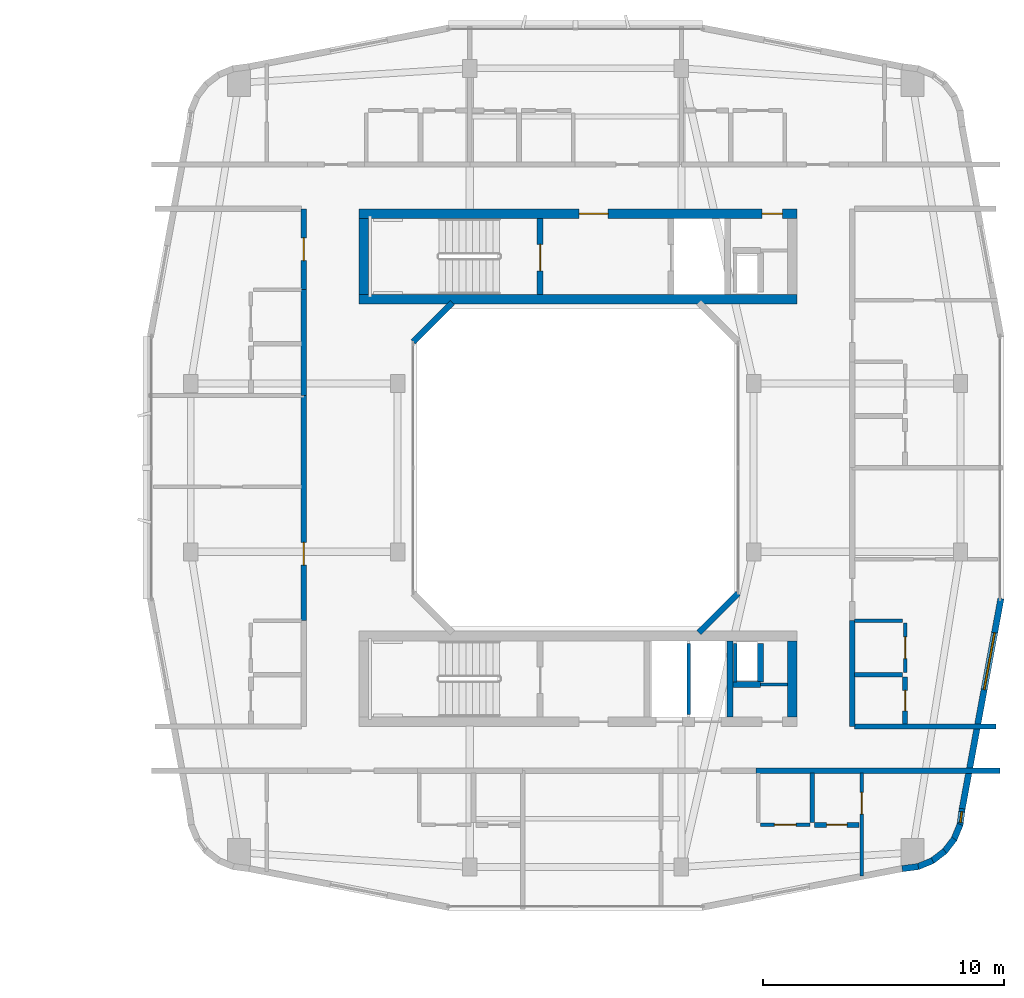
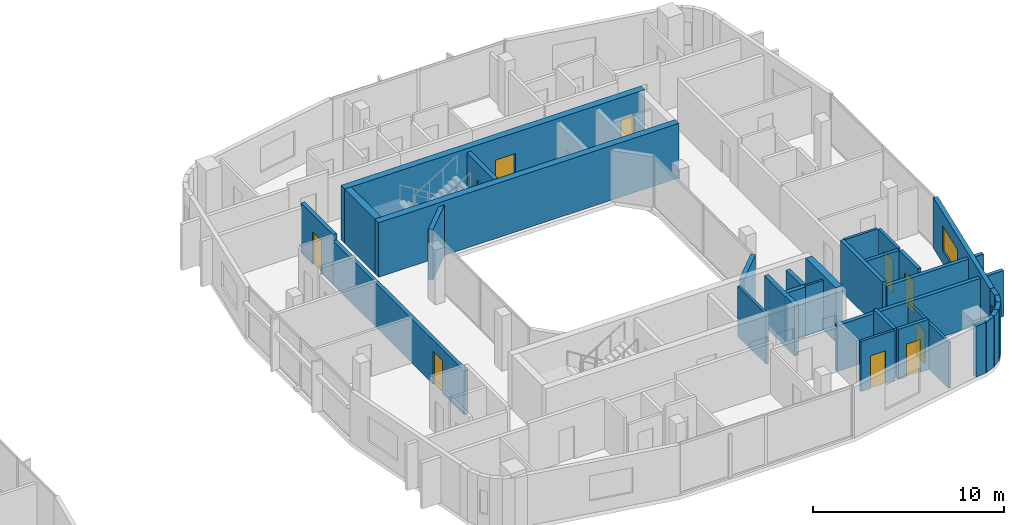
# One storey, part 18 of 26: 34 walls, 10 doors, 2 windows, 12 openings.
"""IFC4 building model written with IfcOpenShell, lengths in metres."""

from ifc_helpers import new_model, si_unit, derived_unit, direction, frame, frame_2d, origin, place, context, subcontext, project, spatial, rectangle, extrude, material, layer, layer_set, type_object, element, fill, save


model = new_model("IFC4")

# Units and contexts
model_context = context("Model", 3, precision=1e-05, world=origin(), true_north=direction((0.0, 1.0)))
body_context = subcontext(model_context, "Body", "Model", "MODEL_VIEW")
ifc_project = project(units=[si_unit("LENGTHUNIT", "METRE"), si_unit("AREAUNIT", "SQUARE_METRE"), si_unit("VOLUMEUNIT", "CUBIC_METRE"), si_unit("PLANEANGLEUNIT", "RADIAN"), si_unit("MASSUNIT", "GRAM", prefix="KILO"), derived_unit("THERMALTRANSMITTANCEUNIT", [(si_unit("POWERUNIT", "WATT"), 1), (si_unit("LENGTHUNIT", "METRE"), -2), (si_unit("THERMODYNAMICTEMPERATUREUNIT", "KELVIN"), -1)])], contexts=[model_context])

# Site, building, storey
site_placement = place(None, origin())
site = spatial("IfcSite", under=ifc_project, at=site_placement, CompositionType="ELEMENT")
building_placement = place(site_placement, origin())
building = spatial("IfcBuilding", under=site, at=building_placement, Name="Kivonza Crest Hotel", CompositionType="ELEMENT")
storey_placement = place(building_placement, frame((0.0, 0.0, 105.5)))
storey = spatial("IfcBuildingStorey", under=building, at=storey_placement, Name="L28", CompositionType="ELEMENT", Elevation=105.5)

# Wall
ifc_material_1 = material(Name="Autoclaved aerated concrete blockwork", Category="masonry")
ifc_layer_1 = layer(ifc_material_1, 0.219970703125)
ifc_layer_set_1 = layer_set([ifc_layer_1], Name="Autoclaved aerated concrete blockwork")
wall_type_1 = type_object("IfcWallType", Name="WL-ACOU-220", PredefinedType="SOLIDWALL", material=ifc_layer_set_1)
wall_1_placement = place(storey_placement, frame((84.510009765625, 12.39990234375, 0.0), z_axis=(0.0, 0.0, 1.0), x_axis=(1.0, 0.0, 0.0)))
element("IfcWall", 1, at=wall_1_placement, inside=storey, type_object=wall_type_1, Name="L28 interior partition WA-L28-A05-RCORR", PredefinedType="SOLIDWALL", context=body_context, shape_type="SweptSolid", body=[
    extrude(rectangle(XDim=10.1298828125, YDim=0.219970703125, at=frame_2d((5.06494140625, 0.0))), origin(), (0.0, 0.0, 1.0), 2.945068359375),
])

# Wall, opening, door
wall_2_placement = place(storey_placement, frame((65.699951171875, 18.639892578125, 0.0), z_axis=(0.0, 0.0, 1.0), x_axis=(0.0, 1.0, 0.0)))
wall_2 = element("IfcWall", 2, at=wall_2_placement, inside=storey, type_object=wall_type_1, Name="L28 interior partition WA-L28-A06-MCORR", PredefinedType="SOLIDWALL", context=body_context, shape_type="SweptSolid", body=[
    extrude(rectangle(XDim=9.360107421875, YDim=0.219970703125, at=frame_2d((4.68017578125, 0.0))), origin(), (0.0, 0.0, 1.0), 2.824951171875),
])
opening_1_placement = place(wall_2_placement, frame((2.304931640625, 0.0, 0.0)))
opening_1 = element("IfcOpeningElement", 3, at=opening_1_placement, cuts=wall_2, Name="Opening DU-60", PredefinedType="OPENING", context=body_context, shape_type="SweptSolid", body=[
    extrude(rectangle(XDim=0.949951171875, YDim=2.10009765625, at=frame_2d((0.47509765625, 1.050048828125))), frame((0.0, 0.1201171875, 0.0), z_axis=(0.0, -1.0, 0.0), x_axis=(1.0, 0.0, 0.0)), (0.0, 0.0, 1.0), 0.239990234375),
])
ifc_material_2 = material(Name="Hardwood timber oak", Category="wood")
door_type_1 = type_object("IfcDoorType", Name="DR-UNIT-950", OperationType="NOTDEFINED", PredefinedType="DOOR", material=ifc_material_2)
door_1_placement = place(opening_1_placement, origin())
door_1 = element("IfcDoor", 4, at=door_1_placement, inside=storey, type_object=door_type_1, Name="L28 A06 apartment entrance fire door", OperationType="SINGLE_SWING_RIGHT", OverallHeight=2.10009765625, OverallWidth=0.949951171875, PredefinedType="DOOR", context=body_context, shape_type="SweptSolid", body=[
    extrude(rectangle(XDim=0.949951171875, YDim=2.10009765625, at=frame_2d((0.47509765625, 1.050048828125))), frame((0.0, 0.02490234375, 0.0), z_axis=(0.0, -1.0, 0.0), x_axis=(1.0, 0.0, 0.0)), (0.0, 0.0, 1.0), 0.050048828125),
])
fill(opening_1, door_1)

# Wall
wall_3_placement = place(storey_placement, frame((65.699951171875, 28.0, 0.0), z_axis=(0.0, 0.0, 1.0), x_axis=(0.0, 1.0, 0.0)))
element("IfcWall", 5, at=wall_3_placement, inside=storey, type_object=wall_type_1, Name="L28 interior partition WA-L28-A07-BCORR", PredefinedType="SOLIDWALL", context=body_context, shape_type="SweptSolid", body=[
    extrude(rectangle(XDim=4.39990234375, YDim=0.219970703125, at=frame_2d((2.199951171875, 0.0))), origin(), (0.0, 0.0, 1.0), 2.824951171875),
])

# Wall, opening, door
wall_4_placement = place(storey_placement, frame((65.699951171875, 32.39990234375, 0.0), z_axis=(0.0, 0.0, 1.0), x_axis=(0.0, 1.0, 0.0)))
wall_4 = element("IfcWall", 6, at=wall_4_placement, inside=storey, type_object=wall_type_1, Name="L28 interior partition WA-L28-A07-MCORR", PredefinedType="SOLIDWALL", context=body_context, shape_type="SweptSolid", body=[
    extrude(rectangle(XDim=3.360107421875, YDim=0.219970703125, at=frame_2d((1.68017578125, 0.0))), origin(), (0.0, 0.0, 1.0), 3.219970703125),
])
opening_2_placement = place(wall_4_placement, frame((1.205078125, 0.0, 0.0)))
opening_2 = element("IfcOpeningElement", 7, at=opening_2_placement, cuts=wall_4, Name="Opening DU-60", PredefinedType="OPENING", context=body_context, shape_type="SweptSolid", body=[
    extrude(rectangle(XDim=0.949951171875, YDim=2.10009765625, at=frame_2d((0.47509765625, 1.050048828125))), frame((0.0, 0.1201171875, 0.0), z_axis=(0.0, -1.0, 0.0), x_axis=(1.0, 0.0, 0.0)), (0.0, 0.0, 1.0), 0.239990234375),
])
door_2_placement = place(opening_2_placement, origin())
door_2 = element("IfcDoor", 8, at=door_2_placement, inside=storey, type_object=door_type_1, Name="L28 A07 apartment entrance fire door", OperationType="SINGLE_SWING_LEFT", OverallHeight=2.10009765625, OverallWidth=0.949951171875, PredefinedType="DOOR", context=body_context, shape_type="SweptSolid", body=[
    extrude(rectangle(XDim=0.949951171875, YDim=2.10009765625, at=frame_2d((0.47509765625, 1.050048828125))), frame((0.0, 0.02490234375, 0.0), z_axis=(0.0, -1.0, 0.0), x_axis=(1.0, 0.0, 0.0)), (0.0, 0.0, 1.0), 0.050048828125),
])
fill(opening_2, door_2)

# Walls
wall_5_placement = place(storey_placement, frame((88.60009765625, 14.239990234375, 0.0), z_axis=(0.0, 0.0, 1.0), x_axis=(1.0, 0.0, 0.0)))
element("IfcWall", 9, at=wall_5_placement, inside=storey, type_object=wall_type_1, Name="L28 interior partition WA-L28-T2E-ENDS", PredefinedType="SOLIDWALL", context=body_context, shape_type="SweptSolid", body=[
    extrude(rectangle(XDim=5.8798828125, YDim=0.219970703125, at=frame_2d((2.93994140625, 0.0))), origin(), (0.0, 0.0, 1.0), 2.945068359375),
])
wall_6_placement = place(storey_placement, frame((88.5, 14.239990234375, 0.0), z_axis=(0.0, 0.0, 1.0), x_axis=(0.0, 1.0, 0.0)))
element("IfcWall", 10, at=wall_6_placement, inside=storey, type_object=wall_type_1, Name="L28 interior partition WA-L28-A08-BCORR", PredefinedType="SOLIDWALL", context=body_context, shape_type="SweptSolid", body=[
    extrude(rectangle(XDim=4.39990234375, YDim=0.219970703125, at=frame_2d((2.199951171875, 0.0))), origin(), (0.0, 0.0, 1.0), 3.219970703125),
])
ifc_material_3 = material(Name="Concrete C50/60", Category="concrete")
ifc_layer_2 = layer(ifc_material_3, 0.39990234375)
ifc_layer_set_2 = layer_set([ifc_layer_2], Name="Concrete C50/60")
wall_type_2 = type_object("IfcWallType", Name="WL-CORE-400", PredefinedType="SHEAR", material=ifc_layer_set_2)
wall_7_placement = place(storey_placement, frame((68.0, 32.0, 0.0), z_axis=(0.0, 0.0, 1.0), x_axis=(1.0, 0.0, 0.0)))
element("IfcWall", 11, at=wall_7_placement, inside=storey, type_object=wall_type_2, Name="Core wall T2-N South L28", PredefinedType="SHEAR", context=body_context, shape_type="SweptSolid", body=[
    extrude(rectangle(XDim=18.199951171875, YDim=0.39990234375, at=frame_2d((9.10009765625, 0.0))), origin(), (0.0, 0.0, 1.0), 3.5),
])

# Wall, openings, doors
wall_8_placement = place(storey_placement, frame((68.0, 35.56005859375, 0.0), z_axis=(0.0, 0.0, 1.0), x_axis=(1.0, 0.0, 0.0)))
wall_8 = element("IfcWall", 12, at=wall_8_placement, inside=storey, type_object=wall_type_2, Name="Core wall T2-N North L28", PredefinedType="SHEAR", context=body_context, shape_type="SweptSolid", body=[
    extrude(rectangle(XDim=18.199951171875, YDim=0.39990234375, at=frame_2d((9.10009765625, 0.0))), origin(), (0.0, 0.0, 1.0), 3.5),
])
opening_3_placement = place(wall_8_placement, frame((9.14990234375, 0.0, 0.0)))
opening_3 = element("IfcOpeningElement", 13, at=opening_3_placement, cuts=wall_8, Name="Opening DF-60", PredefinedType="OPENING", context=body_context, shape_type="SweptSolid", body=[
    extrude(rectangle(XDim=1.199951171875, YDim=2.14990234375, at=frame_2d((0.60009765625, 1.074951171875))), frame((0.0, 0.2099609375, 0.0), z_axis=(0.0, -1.0, 0.0), x_axis=(1.0, 0.0, 0.0)), (0.0, 0.0, 1.0), 0.419921875),
])
opening_4_placement = place(wall_8_placement, frame((16.75, 0.0, 0.0)))
opening_4 = element("IfcOpeningElement", 14, at=opening_4_placement, cuts=wall_8, Name="Opening DF-60R", PredefinedType="OPENING", context=body_context, shape_type="SweptSolid", body=[
    extrude(rectangle(XDim=0.85009765625, YDim=2.10009765625, at=frame_2d((0.425048828125, 1.050048828125))), frame((0.0, 0.2099609375, 0.0), z_axis=(0.0, -1.0, 0.0), x_axis=(1.0, 0.0, 0.0)), (0.0, 0.0, 1.0), 0.419921875),
])
door_type_2 = type_object("IfcDoorType", Name="DR-FD60-1200", OperationType="NOTDEFINED", PredefinedType="DOOR", material=ifc_material_2)
door_3_placement = place(opening_3_placement, origin())
door_3 = element("IfcDoor", 15, at=door_3_placement, inside=storey, type_object=door_type_2, Name="L28 T2-N firefighting lobby fire door", OperationType="SINGLE_SWING_RIGHT", OverallHeight=2.14990234375, OverallWidth=1.199951171875, PredefinedType="DOOR", context=body_context, shape_type="SweptSolid", body=[
    extrude(rectangle(XDim=1.199951171875, YDim=2.14990234375, at=frame_2d((0.60009765625, 1.074951171875))), frame((0.0, 0.02490234375, 0.0), z_axis=(0.0, -1.0, 0.0), x_axis=(1.0, 0.0, 0.0)), (0.0, 0.0, 1.0), 0.050048828125),
])
fill(opening_3, door_3)
door_type_3 = type_object("IfcDoorType", Name="DR-FD60-850", OperationType="NOTDEFINED", PredefinedType="DOOR", material=ifc_material_2)
door_4_placement = place(opening_4_placement, origin())
door_4 = element("IfcDoor", 16, at=door_4_placement, inside=storey, type_object=door_type_3, Name="L28 T2-N core room door", OperationType="SINGLE_SWING_RIGHT", OverallHeight=2.10009765625, OverallWidth=0.85009765625, PredefinedType="DOOR", context=body_context, shape_type="SweptSolid", body=[
    extrude(rectangle(XDim=0.85009765625, YDim=2.10009765625, at=frame_2d((0.425048828125, 1.050048828125))), frame((0.0, 0.02490234375, 0.0), z_axis=(0.0, -1.0, 0.0), x_axis=(1.0, 0.0, 0.0)), (0.0, 0.0, 1.0), 0.050048828125),
])
fill(opening_4, door_4)

# Walls
for number, where, z_axis, x_axis, name in (
    (17, (68.199951171875, 32.199951171875, 0.0), (0.0, 0.0, 1.0), (0.0, 1.0, 0.0), "Core wall T2-N West L28"),
    (18, (86.0, 14.639892578125, 0.0), (0.0, 0.0, 1.0), (0.0, 1.0, 0.0), "Core wall T2-S East L28"),
):
    element("IfcWall", number, at=place(storey_placement, frame(where, z_axis=z_axis, x_axis=x_axis)), inside=storey, type_object=wall_type_2, Name=name, PredefinedType="SHEAR", context=body_context, shape_type="SweptSolid", body=[
        extrude(rectangle(XDim=3.16015625, YDim=0.39990234375, at=frame_2d((1.580078125, 0.0))), origin(), (0.0, 0.0, 1.0), 3.5),
    ])
ifc_material_4 = material(Name="Precast concrete C40/50", Category="concrete")
ifc_layer_3 = layer(ifc_material_4, 0.260009765625)
ifc_layer_set_3 = layer_set([ifc_layer_3], Name="Precast concrete C40/50")
wall_type_3 = type_object("IfcWallType", Name="WL-EXT-260", PredefinedType="STANDARD", material=ifc_layer_set_3)
wall_9_placement = place(storey_placement, frame((90.574951171875, 8.327880859375, 0.0), z_axis=(0.0, 0.0, 1.0), x_axis=(0.991300187529, 0.13162043232, 0.0)))
element("IfcWall", 19, at=wall_9_placement, inside=storey, type_object=wall_type_3, Name="L28 T2 exterior insulated wall 10", PredefinedType="STANDARD", context=body_context, shape_type="SweptSolid", body=[
    extrude(rectangle(XDim=0.677001953125, YDim=0.260009765625, at=frame_2d((0.33837890625, 0.0))), origin(), (0.0, 0.0, 1.0), 3.25),
])
for number, where, z_axis, x_axis, name in (
    (20, (91.199951171875, 8.39892578125, 0.0), (0.0, 0.0, 1.0), (0.924093981904, 0.382165294877, 0.0), "L28 T2 exterior insulated wall 11"),
    (21, (91.801025390625, 8.635986328125, 0.0), (0.0, 0.0, 1.0), (0.792637067512, 0.609693758543, 0.0), "L28 T2 exterior insulated wall 12"),
    (22, (92.320068359375, 9.02099609375, 0.0), (0.0, 0.0, 1.0), (0.609472651958, 0.792807092876, 0.0), "L28 T2 exterior insulated wall 13"),
):
    element("IfcWall", number, at=place(storey_placement, frame(where, z_axis=z_axis, x_axis=x_axis)), inside=storey, type_object=wall_type_3, Name=name, PredefinedType="STANDARD", context=body_context, shape_type="SweptSolid", body=[
        extrude(rectangle(XDim=0.69384765625, YDim=0.260009765625, at=frame_2d((0.346923828125, 0.0))), origin(), (0.0, 0.0, 1.0), 3.25),
    ])
wall_10_placement = place(storey_placement, frame((92.721923828125, 9.527099609375, 0.0), z_axis=(0.0, 0.0, 1.0), x_axis=(0.382289608286, 0.924042561464, 0.0)))
element("IfcWall", 23, at=wall_10_placement, inside=storey, type_object=wall_type_3, Name="L28 T2 exterior insulated wall 14", PredefinedType="STANDARD", context=body_context, shape_type="SweptSolid", body=[
    extrude(rectangle(XDim=0.693603515625, YDim=0.260009765625, at=frame_2d((0.3466796875, 0.0))), origin(), (0.0, 0.0, 1.0), 3.25),
])

# Wall, opening, window
wall_11_placement = place(storey_placement, frame((92.97900390625, 10.118896484375, 0.0), z_axis=(0.0, 0.0, 1.0), x_axis=(0.130614135366, 0.991433279471, 0.0)))
wall_11 = element("IfcWall", 24, at=wall_11_placement, inside=storey, type_object=wall_type_3, Name="L28 T2 exterior insulated wall 15", PredefinedType="STANDARD", context=body_context, shape_type="SweptSolid", body=[
    extrude(rectangle(XDim=0.712158203125, YDim=0.260009765625, at=frame_2d((0.35595703125, 0.0))), origin(), (0.0, 0.0, 1.0), 3.25),
])
opening_5_placement = place(wall_11_placement, frame((0.131103515625, 0.0, 0.85009765625)))
opening_5 = element("IfcOpeningElement", 25, at=opening_5_placement, cuts=wall_11, Name="Opening WN-11", PredefinedType="OPENING", context=body_context, shape_type="SweptSolid", body=[
    extrude(rectangle(XDim=0.449951171875, YDim=1.5, at=frame_2d((0.22509765625, 0.75))), frame((0.0, 0.14013671875, 0.0), z_axis=(0.0, -1.0, 0.0), x_axis=(1.0, 0.0, 0.0)), (0.0, 0.0, 1.0), 0.280029296875),
])
ifc_material_5 = material(Name="Thermally broken bronze aluminium and low-E double glazing", Category="aluminium")
window_type_1 = type_object("IfcWindowType", Name="WN-045x150", PartitioningType="SINGLE_PANEL", PredefinedType="WINDOW", material=ifc_material_5)
window_1_placement = place(opening_5_placement, origin())
window_1 = element("IfcWindow", 26, at=window_1_placement, inside=storey, type_object=window_type_1, Name="L28 corner vision window 6", OverallHeight=1.5, OverallWidth=0.449951171875, PartitioningType="SINGLE_PANEL", PredefinedType="WINDOW", context=body_context, shape_type="SweptSolid", body=[
    extrude(rectangle(XDim=0.449951171875, YDim=1.5, at=frame_2d((0.22509765625, 0.75))), frame((0.0, 0.030029296875, 0.0), z_axis=(0.0, -1.0, 0.0), x_axis=(1.0, 0.0, 0.0)), (0.0, 0.0, 1.0), 0.06005859375),
])
fill(opening_5, window_1)

wall_12_placement = place(storey_placement, frame((93.071044921875, 10.81591796875, 0.0), z_axis=(0.0, 0.0, 1.0), x_axis=(0.181209963057, 0.983444431215, 0.0)))
wall_12 = element("IfcWall", 27, at=wall_12_placement, inside=storey, type_object=wall_type_3, Name="L28 T2 exterior insulated wall 16", PredefinedType="STANDARD", context=body_context, shape_type="SweptSolid", body=[
    extrude(rectangle(XDim=8.889404296875, YDim=0.260009765625, at=frame_2d((4.44482421875, 0.0))), origin(), (0.0, 0.0, 1.0), 3.25),
])
opening_6_placement = place(wall_12_placement, frame((5.044921875, 0.0, 0.800048828125)))
opening_6 = element("IfcOpeningElement", 28, at=opening_6_placement, cuts=wall_12, Name="Opening WN-05", PredefinedType="OPENING", context=body_context, shape_type="SweptSolid", body=[
    extrude(rectangle(XDim=2.39990234375, YDim=1.60009765625, at=frame_2d((1.199951171875, 0.800048828125))), frame((0.0, 0.14013671875, 0.0), z_axis=(0.0, -1.0, 0.0), x_axis=(1.0, 0.0, 0.0)), (0.0, 0.0, 1.0), 0.280029296875),
])
window_type_2 = type_object("IfcWindowType", Name="WN-240x160", PartitioningType="TRIPLE_PANEL_VERTICAL", PredefinedType="WINDOW", material=ifc_material_5)
window_2_placement = place(opening_6_placement, origin())
window_2 = element("IfcWindow", 29, at=window_2_placement, inside=storey, type_object=window_type_2, Name="L28 T2 facade window 16", OverallHeight=1.60009765625, OverallWidth=2.39990234375, PartitioningType="SINGLE_PANEL", PredefinedType="WINDOW", context=body_context, shape_type="SweptSolid", body=[
    extrude(rectangle(XDim=2.39990234375, YDim=1.60009765625, at=frame_2d((1.199951171875, 0.800048828125))), frame((0.0, 0.030029296875, 0.0), z_axis=(0.0, -1.0, 0.0), x_axis=(1.0, 0.0, 0.0)), (0.0, 0.0, 1.0), 0.06005859375),
])
fill(opening_6, window_2)

# Walls
for number, where, z_axis, x_axis, name in (
    (30, (82.1220703125, 18.137939453125, 0.0), (0.0, 0.0, 1.0), (0.707106781187, 0.707106781187, 0.0), "L28 T2 light-well exterior wall 2"),
    (31, (71.8779296875, 31.862060546875, 0.0), (0.0, 0.0, 1.0), (-0.707106781187, -0.707106781187, 0.0), "L28 T2 light-well exterior wall 6"),
):
    element("IfcWall", number, at=place(storey_placement, frame(where, z_axis=z_axis, x_axis=x_axis)), inside=storey, type_object=wall_type_3, Name=name, PredefinedType="STANDARD", context=body_context, shape_type="SweptSolid", body=[
        extrude(rectangle(XDim=2.310791015625, YDim=0.260009765625, at=frame_2d((1.1552734375, 0.0))), origin(), (0.0, 0.0, 1.0), 3.25),
    ])
ifc_material_6 = material(Name="Concrete blockwork fire-compartment wall", Category="masonry")
ifc_layer_4 = layer(ifc_material_6, 0.25)
ifc_layer_set_4 = layer_set([ifc_layer_4], Name="Concrete blockwork fire-compartment wall")
wall_type_4 = type_object("IfcWallType", Name="WL-FIRE-250", PredefinedType="SOLIDWALL", material=ifc_layer_set_4)
wall_13_placement = place(storey_placement, frame((84.679931640625, 16.080078125, 0.0), z_axis=(0.0, 0.0, 1.0), x_axis=(0.0, 1.0, 0.0)))
element("IfcWall", 32, at=wall_13_placement, inside=storey, type_object=wall_type_4, Name="L28 interior partition WA-L28-T2-S-MEPR-E", PredefinedType="SOLIDWALL", context=body_context, shape_type="SweptSolid", body=[
    extrude(rectangle(XDim=1.619873046875, YDim=0.25, at=frame_2d((0.81005859375, 0.0))), origin(), (0.0, 0.0, 1.0), 3.219970703125),
])
wall_14_placement = place(storey_placement, frame((83.550048828125, 15.97998046875, 0.0), z_axis=(0.0, 0.0, 1.0), x_axis=(1.0, 0.0, 0.0)))
element("IfcWall", 33, at=wall_14_placement, inside=storey, type_object=wall_type_4, Name="L28 interior partition WA-L28-T2-S-MEPR-H", PredefinedType="SOLIDWALL", context=body_context, shape_type="SweptSolid", body=[
    extrude(rectangle(XDim=1.1298828125, YDim=0.25, at=frame_2d((0.56494140625, 0.0))), origin(), (0.0, 0.0, 1.0), 3.219970703125),
])
ifc_material_7 = material(Name="Metal-stud gypsum board partition", Category="gypsum")
ifc_layer_5 = layer(ifc_material_7, 0.125)
ifc_layer_set_5 = layer_set([ifc_layer_5], Name="Metal-stud gypsum board partition")
wall_type_5 = type_object("IfcWallType", Name="WL-PART-125", PredefinedType="PARTITIONING", material=ifc_layer_set_5)
wall_15_placement = place(storey_placement, frame((84.679931640625, 15.97998046875, 0.0), z_axis=(0.0, 0.0, 1.0), x_axis=(1.0, 0.0, 0.0)))
element("IfcWall", 34, at=wall_15_placement, inside=storey, type_object=wall_type_5, Name="L28 interior partition WP-L28-T2-S-T2H", PredefinedType="PARTITIONING", context=body_context, shape_type="SweptSolid", body=[
    extrude(rectangle(XDim=1.1201171875, YDim=0.125, at=frame_2d((0.56005859375, 0.0))), origin(), (0.0, 0.0, 1.0), 3.219970703125),
])
ifc_material_8 = material(Name="Twin-stud acoustic gypsum board partition", Category="gypsum")
ifc_layer_6 = layer(ifc_material_8, 0.14990234375)
ifc_layer_set_6 = layer_set([ifc_layer_6], Name="Twin-stud acoustic gypsum board partition")
wall_type_6 = type_object("IfcWallType", Name="WL-PART-150", PredefinedType="PARTITIONING", material=ifc_layer_set_6)
wall_16_placement = place(storey_placement, frame((83.6298828125, 16.080078125, 0.0), z_axis=(0.0, 0.0, 1.0), x_axis=(0.0, 1.0, 0.0)))
element("IfcWall", 35, at=wall_16_placement, inside=storey, type_object=wall_type_6, Name="L28 interior partition WA-L28-T2-S-MEPR-W", PredefinedType="PARTITIONING", context=body_context, shape_type="SweptSolid", body=[
    extrude(rectangle(XDim=1.619873046875, YDim=0.14990234375, at=frame_2d((0.81005859375, 0.0))), origin(), (0.0, 0.0, 1.0), 2.824951171875),
])
wall_17_placement = place(storey_placement, frame((81.699951171875, 14.739990234375, 0.0), z_axis=(0.0, 0.0, 1.0), x_axis=(0.0, 1.0, 0.0)))
element("IfcWall", 36, at=wall_17_placement, inside=storey, type_object=wall_type_6, Name="L28 interior partition WP-L28-T2-S-BSH-1", PredefinedType="PARTITIONING", context=body_context, shape_type="SweptSolid", body=[
    extrude(rectangle(XDim=2.9599609375, YDim=0.14990234375, at=frame_2d((1.47998046875, 0.0))), origin(), (0.0, 0.0, 1.0), 3.219970703125),
])

# Wall, opening, door
wall_18_placement = place(storey_placement, frame((88.889892578125, 8.030029296875, 0.0), z_axis=(0.0, 0.0, 1.0), x_axis=(0.0, 1.0, 0.0)))
wall_18 = element("IfcWall", 37, at=wall_18_placement, inside=storey, type_object=wall_type_6, Name="L28 interior partition WP-L28-A05-BDW2", PredefinedType="PARTITIONING", context=body_context, shape_type="SweptSolid", body=[
    extrude(rectangle(XDim=4.27001953125, YDim=0.14990234375, at=frame_2d((2.135009765625, 0.0))), origin(), (0.0, 0.0, 1.0), 2.945068359375),
])
opening_7_placement = place(wall_18_placement, frame((2.570068359375, 0.0, 0.0)))
opening_7 = element("IfcOpeningElement", 38, at=opening_7_placement, cuts=wall_18, Name="Opening DI-90", PredefinedType="OPENING", context=body_context, shape_type="SweptSolid", body=[
    extrude(rectangle(XDim=0.89990234375, YDim=2.10009765625, at=frame_2d((0.449951171875, 1.050048828125))), frame((0.0, 0.0849609375, 0.0), z_axis=(0.0, -1.0, 0.0), x_axis=(1.0, 0.0, 0.0)), (0.0, 0.0, 1.0), 0.169921875),
])
door_type_4 = type_object("IfcDoorType", Name="DR-INT-900", OperationType="NOTDEFINED", PredefinedType="DOOR", material=ifc_material_2)
door_5_placement = place(opening_7_placement, origin())
door_5 = element("IfcDoor", 39, at=door_5_placement, inside=storey, type_object=door_type_4, Name="L28 A05 bedroom 2 door", OperationType="SINGLE_SWING_LEFT", OverallHeight=2.10009765625, OverallWidth=0.89990234375, PredefinedType="DOOR", context=body_context, shape_type="SweptSolid", body=[
    extrude(rectangle(XDim=0.89990234375, YDim=2.10009765625, at=frame_2d((0.449951171875, 1.050048828125))), frame((0.0, 0.02490234375, 0.0), z_axis=(0.0, -1.0, 0.0), x_axis=(1.0, 0.0, 0.0)), (0.0, 0.0, 1.0), 0.050048828125),
])
fill(opening_7, door_5)

wall_19_placement = place(storey_placement, frame((84.68994140625, 10.14990234375, 0.0), z_axis=(0.0, 0.0, 1.0), x_axis=(1.0, 0.0, 0.0)))
wall_19 = element("IfcWall", 40, at=wall_19_placement, inside=storey, type_object=wall_type_6, Name="L28 interior partition WP-L28-A05-KSVC", PredefinedType="PARTITIONING", context=body_context, shape_type="SweptSolid", body=[
    extrude(rectangle(XDim=2.050048828125, YDim=0.14990234375, at=frame_2d((1.02490234375, 0.0))), origin(), (0.0, 0.0, 1.0), 3.219970703125),
])
opening_8_placement = place(wall_19_placement, frame((0.574951171875, 0.0, 0.0)))
opening_8 = element("IfcOpeningElement", 41, at=opening_8_placement, cuts=wall_19, Name="Opening DI-90", PredefinedType="OPENING", context=body_context, shape_type="SweptSolid", body=[
    extrude(rectangle(XDim=0.89990234375, YDim=2.10009765625, at=frame_2d((0.449951171875, 1.050048828125))), frame((0.0, 0.0849609375, 0.0), z_axis=(0.0, -1.0, 0.0), x_axis=(1.0, 0.0, 0.0)), (0.0, 0.0, 1.0), 0.169921875),
])
door_6_placement = place(opening_8_placement, frame((0.89990234375, 0.0, 0.0), z_axis=(0.0, 0.0, 1.0), x_axis=(-1.0, 0.0, 0.0)))
door_6 = element("IfcDoor", 42, at=door_6_placement, inside=storey, type_object=door_type_4, Name="L28 A05 apartment kitchen door", OperationType="SINGLE_SWING_LEFT", OverallHeight=2.10009765625, OverallWidth=0.89990234375, PredefinedType="DOOR", context=body_context, shape_type="SweptSolid", body=[
    extrude(rectangle(XDim=0.89990234375, YDim=2.10009765625, at=frame_2d((0.449951171875, 1.050048828125))), frame((0.0, 0.02490234375, 0.0), z_axis=(0.0, -1.0, 0.0), x_axis=(1.0, 0.0, 0.0)), (0.0, 0.0, 1.0), 0.050048828125),
])
fill(opening_8, door_6)

# Wall
wall_20_placement = place(storey_placement, frame((88.60009765625, 18.639892578125, 0.0), z_axis=(0.0, 0.0, 1.0), x_axis=(1.0, 0.0, 0.0)))
element("IfcWall", 43, at=wall_20_placement, inside=storey, type_object=wall_type_6, Name="L28 interior partition WP-L28-A08-KF", PredefinedType="PARTITIONING", context=body_context, shape_type="SweptSolid", body=[
    extrude(rectangle(XDim=2.0, YDim=0.14990234375, at=frame_2d((1.0, 0.0))), origin(), (0.0, 0.0, 1.0), 3.219970703125),
])

# Wall, opening, door
wall_21_placement = place(storey_placement, frame((90.699951171875, 16.489990234375, 0.0), z_axis=(0.0, 0.0, 1.0), x_axis=(0.0, 1.0, 0.0)))
wall_21 = element("IfcWall", 44, at=wall_21_placement, inside=storey, type_object=wall_type_6, Name="L28 interior partition WP-L28-A08-KSVC", PredefinedType="PARTITIONING", context=body_context, shape_type="SweptSolid", body=[
    extrude(rectangle(XDim=2.050048828125, YDim=0.14990234375, at=frame_2d((1.02490234375, 0.0))), origin(), (0.0, 0.0, 1.0), 3.219970703125),
])
opening_9_placement = place(wall_21_placement, frame((0.574951171875, 0.0, 0.0)))
opening_9 = element("IfcOpeningElement", 45, at=opening_9_placement, cuts=wall_21, Name="Opening DI-90", PredefinedType="OPENING", context=body_context, shape_type="SweptSolid", body=[
    extrude(rectangle(XDim=0.89990234375, YDim=2.10009765625, at=frame_2d((0.449951171875, 1.050048828125))), frame((0.0, 0.0849609375, 0.0), z_axis=(0.0, -1.0, 0.0), x_axis=(1.0, 0.0, 0.0)), (0.0, 0.0, 1.0), 0.169921875),
])
door_7_placement = place(opening_9_placement, frame((0.89990234375, 0.0, 0.0), z_axis=(0.0, 0.0, 1.0), x_axis=(-1.0, 0.0, 0.0)))
door_7 = element("IfcDoor", 46, at=door_7_placement, inside=storey, type_object=door_type_4, Name="L28 A08 apartment kitchen door", OperationType="SINGLE_SWING_RIGHT", OverallHeight=2.10009765625, OverallWidth=0.89990234375, PredefinedType="DOOR", context=body_context, shape_type="SweptSolid", body=[
    extrude(rectangle(XDim=0.89990234375, YDim=2.10009765625, at=frame_2d((0.449951171875, 1.050048828125))), frame((0.0, 0.02490234375, 0.0), z_axis=(0.0, -1.0, 0.0), x_axis=(1.0, 0.0, 0.0)), (0.0, 0.0, 1.0), 0.050048828125),
])
fill(opening_9, door_7)

# Wall
ifc_material_9 = material(Name="Moisture-resistant plumbing chase partition wall", Category="gypsum")
ifc_layer_7 = layer(ifc_material_9, 0.199951171875)
ifc_layer_set_7 = layer_set([ifc_layer_7], Name="Moisture-resistant plumbing chase partition wall")
wall_type_7 = type_object("IfcWallType", Name="WL-PLUMB-200", PredefinedType="PLUMBINGWALL", material=ifc_layer_set_7)
wall_22_placement = place(storey_placement, frame((86.840087890625, 10.25, 0.0), z_axis=(0.0, 0.0, 1.0), x_axis=(0.0, 1.0, 0.0)))
element("IfcWall", 47, at=wall_22_placement, inside=storey, type_object=wall_type_7, Name="L28 interior partition WW-L28-A05-BK", PredefinedType="PLUMBINGWALL", context=body_context, shape_type="SweptSolid", body=[
    extrude(rectangle(XDim=2.050048828125, YDim=0.199951171875, at=frame_2d((1.02490234375, 0.0))), origin(), (0.0, 0.0, 1.0), 3.219970703125),
])

# Wall, opening, door
wall_23_placement = place(storey_placement, frame((86.93994140625, 10.14990234375, 0.0), z_axis=(0.0, 0.0, 1.0), x_axis=(1.0, 0.0, 0.0)))
wall_23 = element("IfcWall", 48, at=wall_23_placement, inside=storey, type_object=wall_type_7, Name="L28 interior partition WW-L28-A05-BSVC", PredefinedType="PLUMBINGWALL", context=body_context, shape_type="SweptSolid", body=[
    extrude(rectangle(XDim=1.85009765625, YDim=0.199951171875, at=frame_2d((0.925048828125, 0.0))), origin(), (0.0, 0.0, 1.0), 3.219970703125),
])
opening_10_placement = place(wall_23_placement, frame((0.5, 0.0, 0.0)))
opening_10 = element("IfcOpeningElement", 49, at=opening_10_placement, cuts=wall_23, Name="Opening DI-85", PredefinedType="OPENING", context=body_context, shape_type="SweptSolid", body=[
    extrude(rectangle(XDim=0.85009765625, YDim=2.10009765625, at=frame_2d((0.425048828125, 1.050048828125))), frame((0.0, 0.10986328125, 0.0), z_axis=(0.0, -1.0, 0.0), x_axis=(1.0, 0.0, 0.0)), (0.0, 0.0, 1.0), 0.219970703125),
])
door_type_5 = type_object("IfcDoorType", Name="DR-INT-850", OperationType="NOTDEFINED", PredefinedType="DOOR", material=ifc_material_2)
door_8_placement = place(opening_10_placement, frame((0.85009765625, 0.0, 0.0), z_axis=(0.0, 0.0, 1.0), x_axis=(-1.0, 0.0, 0.0)))
door_8 = element("IfcDoor", 50, at=door_8_placement, inside=storey, type_object=door_type_5, Name="L28 A05 apartment bathroom door", OperationType="SINGLE_SWING_RIGHT", OverallHeight=2.10009765625, OverallWidth=0.85009765625, PredefinedType="DOOR", context=body_context, shape_type="SweptSolid", body=[
    extrude(rectangle(XDim=0.85009765625, YDim=2.10009765625, at=frame_2d((0.425048828125, 1.050048828125))), frame((0.0, 0.02490234375, 0.0), z_axis=(0.0, -1.0, 0.0), x_axis=(1.0, 0.0, 0.0)), (0.0, 0.0, 1.0), 0.050048828125),
])
fill(opening_10, door_8)

# Wall
wall_24_placement = place(storey_placement, frame((88.60009765625, 16.389892578125, 0.0), z_axis=(0.0, 0.0, 1.0), x_axis=(1.0, 0.0, 0.0)))
element("IfcWall", 51, at=wall_24_placement, inside=storey, type_object=wall_type_7, Name="L28 interior partition WW-L28-A08-BK", PredefinedType="PLUMBINGWALL", context=body_context, shape_type="SweptSolid", body=[
    extrude(rectangle(XDim=2.0, YDim=0.199951171875, at=frame_2d((1.0, 0.0))), origin(), (0.0, 0.0, 1.0), 3.219970703125),
])

# Wall, opening, door
wall_25_placement = place(storey_placement, frame((90.699951171875, 14.340087890625, 0.0), z_axis=(0.0, 0.0, 1.0), x_axis=(0.0, 1.0, 0.0)))
wall_25 = element("IfcWall", 52, at=wall_25_placement, inside=storey, type_object=wall_type_7, Name="L28 interior partition WW-L28-A08-BSVC", PredefinedType="PLUMBINGWALL", context=body_context, shape_type="SweptSolid", body=[
    extrude(rectangle(XDim=1.949951171875, YDim=0.199951171875, at=frame_2d((0.97509765625, 0.0))), origin(), (0.0, 0.0, 1.0), 3.219970703125),
])
opening_11_placement = place(wall_25_placement, frame((0.550048828125, 0.0, 0.0)))
opening_11 = element("IfcOpeningElement", 53, at=opening_11_placement, cuts=wall_25, Name="Opening DI-85", PredefinedType="OPENING", context=body_context, shape_type="SweptSolid", body=[
    extrude(rectangle(XDim=0.85009765625, YDim=2.10009765625, at=frame_2d((0.425048828125, 1.050048828125))), frame((0.0, 0.10986328125, 0.0), z_axis=(0.0, -1.0, 0.0), x_axis=(1.0, 0.0, 0.0)), (0.0, 0.0, 1.0), 0.219970703125),
])
door_9_placement = place(opening_11_placement, frame((0.85009765625, 0.0, 0.0), z_axis=(0.0, 0.0, 1.0), x_axis=(-1.0, 0.0, 0.0)))
door_9 = element("IfcDoor", 54, at=door_9_placement, inside=storey, type_object=door_type_5, Name="L28 A08 apartment bathroom door", OperationType="SINGLE_SWING_LEFT", OverallHeight=2.10009765625, OverallWidth=0.85009765625, PredefinedType="DOOR", context=body_context, shape_type="SweptSolid", body=[
    extrude(rectangle(XDim=0.85009765625, YDim=2.10009765625, at=frame_2d((0.425048828125, 1.050048828125))), frame((0.0, 0.02490234375, 0.0), z_axis=(0.0, -1.0, 0.0), x_axis=(1.0, 0.0, 0.0)), (0.0, 0.0, 1.0), 0.050048828125),
])
fill(opening_11, door_9)

ifc_layer_8 = layer(ifc_material_3, 0.25)
ifc_layer_set_8 = layer_set([ifc_layer_8], Name="Concrete C50/60")
wall_type_8 = type_object("IfcWallType", Name="WL-SHAFT-250", PredefinedType="STANDARD", material=ifc_layer_set_8)
wall_26_placement = place(storey_placement, frame((75.52490234375, 32.199951171875, 0.0), z_axis=(0.0, 0.0, 1.0), x_axis=(0.0, 1.0, 0.0)))
wall_26 = element("IfcWall", 55, at=wall_26_placement, inside=storey, type_object=wall_type_8, Name="Core shaft wall T2-N STAIR L28", PredefinedType="STANDARD", context=body_context, shape_type="SweptSolid", body=[
    extrude(rectangle(XDim=3.16015625, YDim=0.25, at=frame_2d((1.580078125, 0.0))), origin(), (0.0, 0.0, 1.0), 3.25),
])
opening_12_placement = place(wall_26_placement, frame((0.97998046875, 0.0, 0.0)))
opening_12 = element("IfcOpeningElement", 56, at=opening_12_placement, cuts=wall_26, Name="Opening DF-120", PredefinedType="OPENING", context=body_context, shape_type="SweptSolid", body=[
    extrude(rectangle(XDim=1.10009765625, YDim=2.14990234375, at=frame_2d((0.550048828125, 1.074951171875))), frame((0.0, 0.135009765625, 0.0), z_axis=(0.0, -1.0, 0.0), x_axis=(1.0, 0.0, 0.0)), (0.0, 0.0, 1.0), 0.27001953125),
])
ifc_material_10 = material(Name="Galvanised steel", Category="steel")
door_type_6 = type_object("IfcDoorType", Name="DR-FD120-1100", OperationType="NOTDEFINED", PredefinedType="DOOR", material=ifc_material_10)
door_10_placement = place(opening_12_placement, frame((1.10009765625, 0.0, 0.0), z_axis=(0.0, 0.0, 1.0), x_axis=(-1.0, 0.0, 0.0)))
door_10 = element("IfcDoor", 57, at=door_10_placement, inside=storey, type_object=door_type_6, Name="L28 T2-N stair fire door", OperationType="SINGLE_SWING_LEFT", OverallHeight=2.14990234375, OverallWidth=1.10009765625, PredefinedType="DOOR", context=body_context, shape_type="SweptSolid", body=[
    extrude(rectangle(XDim=1.10009765625, YDim=2.14990234375, at=frame_2d((0.550048828125, 1.074951171875))), frame((0.0, 0.02490234375, 0.0), z_axis=(0.0, -1.0, 0.0), x_axis=(1.0, 0.0, 0.0)), (0.0, 0.0, 1.0), 0.050048828125),
])
fill(opening_12, door_10)

# Wall
wall_27_placement = place(storey_placement, frame((83.425048828125, 14.639892578125, 0.0), z_axis=(0.0, 0.0, 1.0), x_axis=(0.0, 1.0, 0.0)))
element("IfcWall", 58, at=wall_27_placement, inside=storey, type_object=wall_type_8, Name="Core shaft wall T2-S BANK-E L28", PredefinedType="STANDARD", context=body_context, shape_type="SweptSolid", body=[
    extrude(rectangle(XDim=3.16015625, YDim=0.25, at=frame_2d((1.580078125, 0.0))), origin(), (0.0, 0.0, 1.0), 3.25),
])

save(model, "model.ifc")
